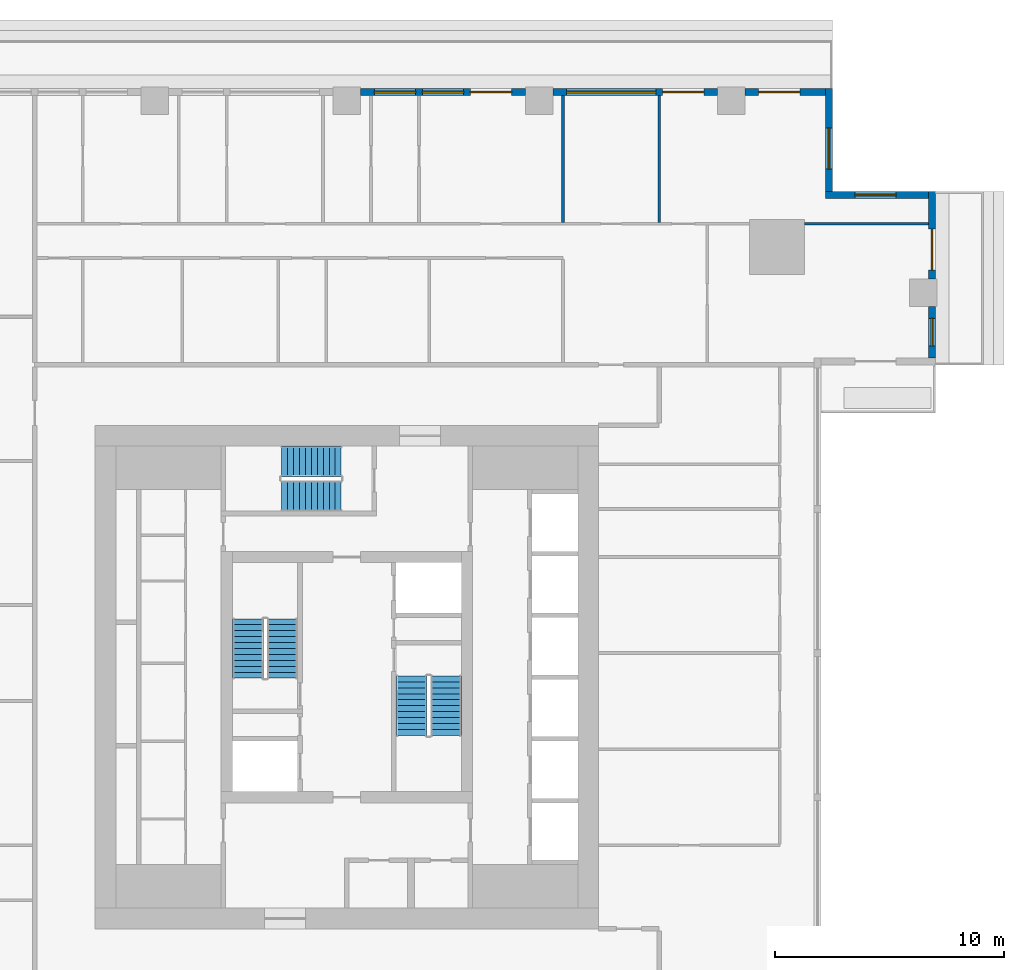
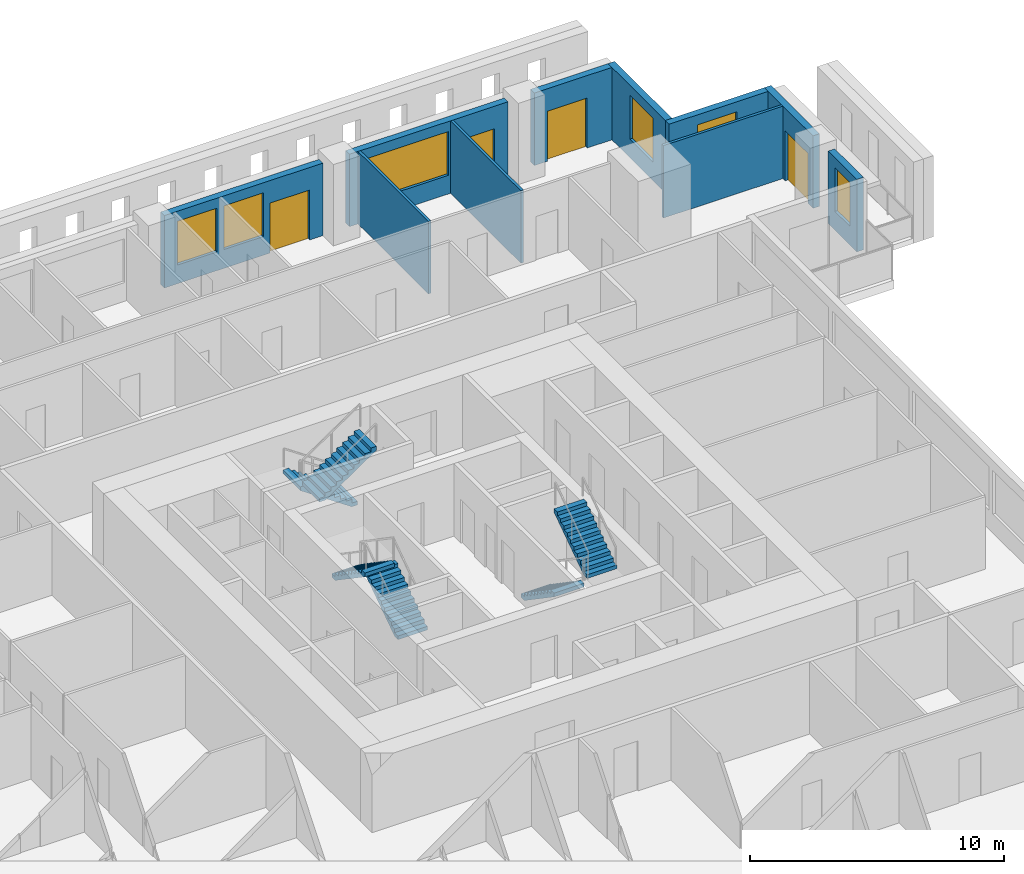
# One storey, part 9 of 15: 10 walls, 6 stair flights, 6 windows, 4 doors, 10 openings, 3 elements without a shape of their own.
"""IFC4 building model written with IfcOpenShell, lengths in metres."""

from ifc_helpers import new_model, si_unit, direction, frame, frame_2d, origin, place, context, subcontext, project, spatial, polyline, rectangle, outline, extrude, material, layer, layer_set, type_object, element, fill, aggregate, save


model = new_model("IFC4")

# Units and contexts
model_context = context("Model", 3, precision=1e-05, world=origin(), true_north=direction((0.0, 1.0)))
body_context = subcontext(model_context, "Body", "Model", "MODEL_VIEW")
ifc_project = project(units=[si_unit("LENGTHUNIT", "METRE"), si_unit("AREAUNIT", "SQUARE_METRE"), si_unit("VOLUMEUNIT", "CUBIC_METRE"), si_unit("PLANEANGLEUNIT", "RADIAN"), si_unit("MASSUNIT", "GRAM", prefix="KILO")], contexts=[model_context])

# Site, building, storey
site_placement = place(None, origin())
site = spatial("IfcSite", under=ifc_project, at=site_placement, CompositionType="ELEMENT")
building_placement = place(site_placement, origin())
building = spatial("IfcBuilding", under=site, at=building_placement, Name="Khepri Terraces", CompositionType="ELEMENT")
storey_placement = place(building_placement, frame((0.0, 0.0, 227.39990234375)))
storey = spatial("IfcBuildingStorey", under=building, at=storey_placement, Name="L54", CompositionType="ELEMENT", Elevation=227.39990234375)

# Wall, opening, window
ifc_material_1 = material(Name="Precast concrete C50/60 warm stone", Category="masonry")
ifc_layer_1 = layer(ifc_material_1, 0.300048828125, Name="Precast concrete C50/60 warm stone", Category="masonry")
ifc_layer_set_1 = layer_set([ifc_layer_1], Name="Precast concrete C50/60 warm stone")
wall_type_1 = type_object("IfcWallType", Name="WL-EXT-PRECAST-300", PredefinedType="STANDARD", material=ifc_layer_set_1)
wall_1_placement = place(storey_placement, frame((25.570068359375, 13.949951171875, 0.0), z_axis=(0.0, 0.0, 1.0), x_axis=(0.0, 1.0, 0.0)))
wall_1 = element("IfcWall", 1, at=wall_1_placement, inside=storey, type_object=wall_type_1, Name="External wall L54 E", PredefinedType="STANDARD", context=body_context, shape_type="SweptSolid", body=[
    extrude(rectangle(XDim=2.25, YDim=0.300048828125, at=frame_2d((1.125, 0.0))), origin(), (0.0, 0.0, 1.0), 3.47998046875),
])
opening_1_placement = place(wall_1_placement, frame((0.52490234375, 0.0, 0.89990234375)))
opening_1 = element("IfcOpeningElement", 2, at=opening_1_placement, cuts=wall_1, Name="Opening W4", PredefinedType="OPENING", context=body_context, shape_type="SweptSolid", body=[
    extrude(rectangle(XDim=1.199951171875, YDim=2.10009765625, at=frame_2d((0.60009765625, 1.050048828125))), frame((0.0, 0.16015625, 0.0), z_axis=(0.0, -1.0, 0.0), x_axis=(1.0, 0.0, 0.0)), (0.0, 0.0, 1.0), 0.320068359375),
])
ifc_material_2 = material(Name="Clear glass", Category="glass")
window_type_1 = type_object("IfcWindowType", Name="WIN-RES-1200x2100", PartitioningType="SINGLE_PANEL", PredefinedType="WINDOW", material=ifc_material_2)
window_1_placement = place(opening_1_placement, origin())
window_1 = element("IfcWindow", 3, at=window_1_placement, inside=storey, type_object=window_type_1, Name="Window L54 E", OverallHeight=2.10009765625, OverallWidth=1.199951171875, PartitioningType="SINGLE_PANEL", PredefinedType="WINDOW", context=body_context, shape_type="SweptSolid", body=[
    extrude(rectangle(XDim=1.199951171875, YDim=2.10009765625, at=frame_2d((0.60009765625, 1.050048828125))), frame((0.0, 0.030029296875, 0.0), z_axis=(0.0, -1.0, 0.0), x_axis=(1.0, 0.0, 0.0)), (0.0, 0.0, 1.0), 0.06005859375),
])
fill(opening_1, window_1)

# Wall, opening, door
wall_2_placement = place(storey_placement, frame((25.570068359375, 17.39990234375, 0.0), z_axis=(0.0, 0.0, 1.0), x_axis=(0.0, 1.0, 0.0)))
wall_2 = element("IfcWall", 4, at=wall_2_placement, inside=storey, type_object=wall_type_1, Name="External wall L54 E", PredefinedType="STANDARD", context=body_context, shape_type="SweptSolid", body=[
    extrude(rectangle(XDim=3.820068359375, YDim=0.300048828125, at=frame_2d((1.91015625, 0.0))), origin(), (0.0, 0.0, 1.0), 3.47998046875),
])
opening_2_placement = place(wall_2_placement, frame((0.385009765625, 0.0, 0.0)))
opening_2 = element("IfcOpeningElement", 5, at=opening_2_placement, cuts=wall_2, Name="Opening ED-L54-05", PredefinedType="OPENING", context=body_context, shape_type="SweptSolid", body=[
    extrude(rectangle(XDim=1.800048828125, YDim=2.39990234375, at=frame_2d((0.89990234375, 1.199951171875))), frame((0.0, 0.16015625, 0.0), z_axis=(0.0, -1.0, 0.0), x_axis=(1.0, 0.0, 0.0)), (0.0, 0.0, 1.0), 0.320068359375),
])
ifc_material_3 = material(Name="Anodised aluminium bronze glazed door", Category="aluminium")
door_type = type_object("IfcDoorType", Name="DR-BAL-SLIDE-1800x2400", OperationType="NOTDEFINED", PredefinedType="DOOR", material=ifc_material_3)
door_1_placement = place(opening_2_placement, origin())
door_1 = element("IfcDoor", 6, at=door_1_placement, inside=storey, type_object=door_type, Name="Balcony door L54 E", OperationType="SLIDING_TO_LEFT", OverallHeight=2.39990234375, OverallWidth=1.800048828125, PredefinedType="DOOR", context=body_context, shape_type="SweptSolid", body=[
    extrude(rectangle(XDim=1.800048828125, YDim=2.39990234375, at=frame_2d((0.89990234375, 1.199951171875))), frame((0.0, 0.02490234375, 0.0), z_axis=(0.0, -1.0, 0.0), x_axis=(1.0, 0.0, 0.0)), (0.0, 0.0, 1.0), 0.050048828125),
])
fill(opening_2, door_1)

# Wall, opening, window
wall_3_placement = place(storey_placement, frame((25.419921875, 21.070068359375, 0.0), z_axis=(0.0, 0.0, 1.0), x_axis=(-1.0, 0.0, 0.0)))
wall_3 = element("IfcWall", 7, at=wall_3_placement, inside=storey, type_object=wall_type_1, Name="External wall L54 N", PredefinedType="STANDARD", context=body_context, shape_type="SweptSolid", body=[
    extrude(rectangle(XDim=4.5, YDim=0.300048828125, at=frame_2d((2.25, 0.0))), origin(), (0.0, 0.0, 1.0), 3.47998046875),
])
opening_3_placement = place(wall_3_placement, frame((1.419921875, 0.0, 0.89990234375)))
opening_3 = element("IfcOpeningElement", 8, at=opening_3_placement, cuts=wall_3, Name="Opening W1", PredefinedType="OPENING", context=body_context, shape_type="SweptSolid", body=[
    extrude(rectangle(XDim=1.800048828125, YDim=2.10009765625, at=frame_2d((0.89990234375, 1.050048828125))), frame((0.0, 0.16015625, 0.0), z_axis=(0.0, -1.0, 0.0), x_axis=(1.0, 0.0, 0.0)), (0.0, 0.0, 1.0), 0.320068359375),
])
window_type_2 = type_object("IfcWindowType", Name="WIN-RES-1800x2100", PartitioningType="SINGLE_PANEL", PredefinedType="WINDOW", material=ifc_material_2)
window_2_placement = place(opening_3_placement, origin())
window_2 = element("IfcWindow", 9, at=window_2_placement, inside=storey, type_object=window_type_2, Name="Window L54 N", OverallHeight=2.10009765625, OverallWidth=1.800048828125, PartitioningType="SINGLE_PANEL", PredefinedType="WINDOW", context=body_context, shape_type="SweptSolid", body=[
    extrude(rectangle(XDim=1.800048828125, YDim=2.10009765625, at=frame_2d((0.89990234375, 1.050048828125))), frame((0.0, 0.030029296875, 0.0), z_axis=(0.0, -1.0, 0.0), x_axis=(1.0, 0.0, 0.0)), (0.0, 0.0, 1.0), 0.06005859375),
])
fill(opening_3, window_2)

wall_4_placement = place(storey_placement, frame((21.070068359375, 21.219970703125, 0.0), z_axis=(0.0, 0.0, 1.0), x_axis=(0.0, 1.0, 0.0)))
wall_4 = element("IfcWall", 10, at=wall_4_placement, inside=storey, type_object=wall_type_1, Name="External wall L54 E", PredefinedType="STANDARD", context=body_context, shape_type="SweptSolid", body=[
    extrude(rectangle(XDim=4.5, YDim=0.300048828125, at=frame_2d((2.25, 0.0))), origin(), (0.0, 0.0, 1.0), 3.47998046875),
])
opening_4_placement = place(wall_4_placement, frame((0.97998046875, 0.0, 0.89990234375)))
opening_4 = element("IfcOpeningElement", 11, at=opening_4_placement, cuts=wall_4, Name="Opening W1", PredefinedType="OPENING", context=body_context, shape_type="SweptSolid", body=[
    extrude(rectangle(XDim=1.800048828125, YDim=2.10009765625, at=frame_2d((0.89990234375, 1.050048828125))), frame((0.0, 0.16015625, 0.0), z_axis=(0.0, -1.0, 0.0), x_axis=(1.0, 0.0, 0.0)), (0.0, 0.0, 1.0), 0.320068359375),
])
window_3_placement = place(opening_4_placement, origin())
window_3 = element("IfcWindow", 12, at=window_3_placement, inside=storey, type_object=window_type_2, Name="Window L54 E", OverallHeight=2.10009765625, OverallWidth=1.800048828125, PartitioningType="SINGLE_PANEL", PredefinedType="WINDOW", context=body_context, shape_type="SweptSolid", body=[
    extrude(rectangle(XDim=1.800048828125, YDim=2.10009765625, at=frame_2d((0.89990234375, 1.050048828125))), frame((0.0, 0.030029296875, 0.0), z_axis=(0.0, -1.0, 0.0), x_axis=(1.0, 0.0, 0.0)), (0.0, 0.0, 1.0), 0.06005859375),
])
fill(opening_4, window_3)

# Wall, opening, door
wall_5_placement = place(storey_placement, frame((20.919921875, 25.570068359375, 0.0), z_axis=(0.0, 0.0, 1.0), x_axis=(-1.0, 0.0, 0.0)))
wall_5 = element("IfcWall", 13, at=wall_5_placement, inside=storey, type_object=wall_type_1, Name="External wall L54 N", PredefinedType="STANDARD", context=body_context, shape_type="SweptSolid", body=[
    extrude(rectangle(XDim=3.52001953125, YDim=0.300048828125, at=frame_2d((1.760009765625, 0.0))), origin(), (0.0, 0.0, 1.0), 3.47998046875),
])
opening_5_placement = place(wall_5_placement, frame((1.1201171875, 0.0, 0.0)))
opening_5 = element("IfcOpeningElement", 14, at=opening_5_placement, cuts=wall_5, Name="Opening ED-L54-06", PredefinedType="OPENING", context=body_context, shape_type="SweptSolid", body=[
    extrude(rectangle(XDim=1.800048828125, YDim=2.39990234375, at=frame_2d((0.89990234375, 1.199951171875))), frame((0.0, 0.16015625, 0.0), z_axis=(0.0, -1.0, 0.0), x_axis=(1.0, 0.0, 0.0)), (0.0, 0.0, 1.0), 0.320068359375),
])
door_2_placement = place(opening_5_placement, origin())
door_2 = element("IfcDoor", 15, at=door_2_placement, inside=storey, type_object=door_type, Name="Balcony door L54 N", OperationType="SLIDING_TO_RIGHT", OverallHeight=2.39990234375, OverallWidth=1.800048828125, PredefinedType="DOOR", context=body_context, shape_type="SweptSolid", body=[
    extrude(rectangle(XDim=1.800048828125, YDim=2.39990234375, at=frame_2d((0.89990234375, 1.199951171875))), frame((0.0, 0.02490234375, 0.0), z_axis=(0.0, -1.0, 0.0), x_axis=(1.0, 0.0, 0.0)), (0.0, 0.0, 1.0), 0.050048828125),
])
fill(opening_5, door_2)

# Wall, openings, door, window
wall_6_placement = place(storey_placement, frame((16.199951171875, 25.570068359375, 0.0), z_axis=(0.0, 0.0, 1.0), x_axis=(-1.0, 0.0, 0.0)))
wall_6 = element("IfcWall", 16, at=wall_6_placement, inside=storey, type_object=wall_type_1, Name="External wall L54 N", PredefinedType="STANDARD", context=body_context, shape_type="SweptSolid", body=[
    extrude(rectangle(XDim=7.199951171875, YDim=0.300048828125, at=frame_2d((3.60009765625, 0.0))), origin(), (0.0, 0.0, 1.0), 3.47998046875),
])
opening_6_placement = place(wall_6_placement, frame((0.60009765625, 0.0, 0.0)))
opening_6 = element("IfcOpeningElement", 17, at=opening_6_placement, cuts=wall_6, Name="Opening ED-L54-07", PredefinedType="OPENING", context=body_context, shape_type="SweptSolid", body=[
    extrude(rectangle(XDim=1.800048828125, YDim=2.39990234375, at=frame_2d((0.89990234375, 1.199951171875))), frame((0.0, 0.16015625, 0.0), z_axis=(0.0, -1.0, 0.0), x_axis=(1.0, 0.0, 0.0)), (0.0, 0.0, 1.0), 0.320068359375),
])
opening_7_placement = place(wall_6_placement, frame((2.699951171875, 0.0, 0.89990234375)))
opening_7 = element("IfcOpeningElement", 18, at=opening_7_placement, cuts=wall_6, Name="Opening W2", PredefinedType="OPENING", context=body_context, shape_type="SweptSolid", body=[
    extrude(rectangle(XDim=3.89990234375, YDim=2.10009765625, at=frame_2d((1.949951171875, 1.050048828125))), frame((0.0, 0.16015625, 0.0), z_axis=(0.0, -1.0, 0.0), x_axis=(1.0, 0.0, 0.0)), (0.0, 0.0, 1.0), 0.320068359375),
])
door_3_placement = place(opening_6_placement, origin())
door_3 = element("IfcDoor", 19, at=door_3_placement, inside=storey, type_object=door_type, Name="Balcony door L54 N", OperationType="SLIDING_TO_LEFT", OverallHeight=2.39990234375, OverallWidth=1.800048828125, PredefinedType="DOOR", context=body_context, shape_type="SweptSolid", body=[
    extrude(rectangle(XDim=1.800048828125, YDim=2.39990234375, at=frame_2d((0.89990234375, 1.199951171875))), frame((0.0, 0.02490234375, 0.0), z_axis=(0.0, -1.0, 0.0), x_axis=(1.0, 0.0, 0.0)), (0.0, 0.0, 1.0), 0.050048828125),
])
fill(opening_6, door_3)
window_type_3 = type_object("IfcWindowType", Name="WIN-RES-3900x2100", PartitioningType="SINGLE_PANEL", PredefinedType="WINDOW", material=ifc_material_2)
window_4_placement = place(opening_7_placement, origin())
window_4 = element("IfcWindow", 20, at=window_4_placement, inside=storey, type_object=window_type_3, Name="Window L54 N", OverallHeight=2.10009765625, OverallWidth=3.89990234375, PartitioningType="SINGLE_PANEL", PredefinedType="WINDOW", context=body_context, shape_type="SweptSolid", body=[
    extrude(rectangle(XDim=3.89990234375, YDim=2.10009765625, at=frame_2d((1.949951171875, 1.050048828125))), frame((0.0, 0.030029296875, 0.0), z_axis=(0.0, -1.0, 0.0), x_axis=(1.0, 0.0, 0.0)), (0.0, 0.0, 1.0), 0.06005859375),
])
fill(opening_7, window_4)

# Wall, openings, door, windows
wall_7_placement = place(storey_placement, frame((7.800048828125, 25.570068359375, 0.0), z_axis=(0.0, 0.0, 1.0), x_axis=(-1.0, 0.0, 0.0)))
wall_7 = element("IfcWall", 21, at=wall_7_placement, inside=storey, type_object=wall_type_1, Name="External wall L54 N", PredefinedType="STANDARD", context=body_context, shape_type="SweptSolid", body=[
    extrude(rectangle(XDim=7.199951171875, YDim=0.300048828125, at=frame_2d((3.60009765625, 0.0))), origin(), (0.0, 0.0, 1.0), 3.47998046875),
])
opening_8_placement = place(wall_7_placement, frame((0.60009765625, 0.0, 0.0)))
opening_8 = element("IfcOpeningElement", 22, at=opening_8_placement, cuts=wall_7, Name="Opening ED-L54-08", PredefinedType="OPENING", context=body_context, shape_type="SweptSolid", body=[
    extrude(rectangle(XDim=1.800048828125, YDim=2.39990234375, at=frame_2d((0.89990234375, 1.199951171875))), frame((0.0, 0.16015625, 0.0), z_axis=(0.0, -1.0, 0.0), x_axis=(1.0, 0.0, 0.0)), (0.0, 0.0, 1.0), 0.320068359375),
])
opening_9_placement = place(wall_7_placement, frame((2.699951171875, 0.0, 0.89990234375)))
opening_9 = element("IfcOpeningElement", 23, at=opening_9_placement, cuts=wall_7, Name="Opening W1", PredefinedType="OPENING", context=body_context, shape_type="SweptSolid", body=[
    extrude(rectangle(XDim=1.800048828125, YDim=2.10009765625, at=frame_2d((0.89990234375, 1.050048828125))), frame((0.0, 0.16015625, 0.0), z_axis=(0.0, -1.0, 0.0), x_axis=(1.0, 0.0, 0.0)), (0.0, 0.0, 1.0), 0.320068359375),
])
opening_10_placement = place(wall_7_placement, frame((4.800048828125, 0.0, 0.89990234375)))
opening_10 = element("IfcOpeningElement", 24, at=opening_10_placement, cuts=wall_7, Name="Opening W1", PredefinedType="OPENING", context=body_context, shape_type="SweptSolid", body=[
    extrude(rectangle(XDim=1.800048828125, YDim=2.10009765625, at=frame_2d((0.89990234375, 1.050048828125))), frame((0.0, 0.16015625, 0.0), z_axis=(0.0, -1.0, 0.0), x_axis=(1.0, 0.0, 0.0)), (0.0, 0.0, 1.0), 0.320068359375),
])
door_4_placement = place(opening_8_placement, origin())
door_4 = element("IfcDoor", 25, at=door_4_placement, inside=storey, type_object=door_type, Name="Balcony door L54 N", OperationType="SLIDING_TO_LEFT", OverallHeight=2.39990234375, OverallWidth=1.800048828125, PredefinedType="DOOR", context=body_context, shape_type="SweptSolid", body=[
    extrude(rectangle(XDim=1.800048828125, YDim=2.39990234375, at=frame_2d((0.89990234375, 1.199951171875))), frame((0.0, 0.02490234375, 0.0), z_axis=(0.0, -1.0, 0.0), x_axis=(1.0, 0.0, 0.0)), (0.0, 0.0, 1.0), 0.050048828125),
])
fill(opening_8, door_4)
window_5_placement = place(opening_9_placement, origin())
window_5 = element("IfcWindow", 26, at=window_5_placement, inside=storey, type_object=window_type_2, Name="Window L54 N", OverallHeight=2.10009765625, OverallWidth=1.800048828125, PartitioningType="SINGLE_PANEL", PredefinedType="WINDOW", context=body_context, shape_type="SweptSolid", body=[
    extrude(rectangle(XDim=1.800048828125, YDim=2.10009765625, at=frame_2d((0.89990234375, 1.050048828125))), frame((0.0, 0.030029296875, 0.0), z_axis=(0.0, -1.0, 0.0), x_axis=(1.0, 0.0, 0.0)), (0.0, 0.0, 1.0), 0.06005859375),
])
fill(opening_9, window_5)
window_6_placement = place(opening_10_placement, origin())
window_6 = element("IfcWindow", 27, at=window_6_placement, inside=storey, type_object=window_type_2, Name="Window L54 N", OverallHeight=2.10009765625, OverallWidth=1.800048828125, PartitioningType="SINGLE_PANEL", PredefinedType="WINDOW", context=body_context, shape_type="SweptSolid", body=[
    extrude(rectangle(XDim=1.800048828125, YDim=2.10009765625, at=frame_2d((0.89990234375, 1.050048828125))), frame((0.0, 0.030029296875, 0.0), z_axis=(0.0, -1.0, 0.0), x_axis=(1.0, 0.0, 0.0)), (0.0, 0.0, 1.0), 0.06005859375),
])
fill(opening_10, window_6)

# Walls
ifc_material_4 = material(Name="Gypsum plasterboard partition")
ifc_layer_2 = layer(ifc_material_4, 0.1201171875, Name="Gypsum plasterboard partition")
ifc_layer_set_2 = layer_set([ifc_layer_2], Name="Gypsum plasterboard partition")
wall_type_2 = type_object("IfcWallType", Name="WL-PART-120", PredefinedType="PARTITIONING", material=ifc_layer_set_2)
wall_8_placement = place(storey_placement, frame((20.0, 19.820068359375, 0.0), z_axis=(0.0, 0.0, 1.0), x_axis=(1.0, 0.0, 0.0)))
element("IfcWall", 28, at=wall_8_placement, inside=storey, type_object=wall_type_2, Name="Partition P-082 L54", PredefinedType="PARTITIONING", context=body_context, shape_type="SweptSolid", body=[
    extrude(rectangle(XDim=5.419921875, YDim=0.1201171875, at=frame_2d((2.7099609375, 0.0))), origin(), (0.0, 0.0, 1.0), 3.47998046875),
])
for number, where, z_axis, x_axis, name in (
    (29, (9.449951171875, 19.8798828125, 0.0), (0.0, 0.0, 1.0), (0.0, 1.0, 0.0), "Partition P-089 L54"),
    (30, (13.64990234375, 19.8798828125, 0.0), (0.0, 0.0, 1.0), (0.0, 1.0, 0.0), "Partition P-090 L54"),
):
    element("IfcWall", number, at=place(storey_placement, frame(where, z_axis=z_axis, x_axis=x_axis)), inside=storey, type_object=wall_type_2, Name=name, PredefinedType="PARTITIONING", context=body_context, shape_type="SweptSolid", body=[
        extrude(rectangle(XDim=5.5400390625, YDim=0.1201171875, at=frame_2d((2.77001953125, 0.0))), origin(), (0.0, 0.0, 1.0), 3.47998046875),
    ])

# Stair, stair flights
ifc_material_5 = material(Name="Concrete C40/50", Category="concrete")
stair_type = type_object("IfcStairType", Name="STAIR-RC-22R", PredefinedType="HALF_TURN_STAIR", material=ifc_material_5)
stair_1_placement = place(storey_placement, origin())
stair_1 = element("IfcStair", 31, at=stair_1_placement, inside=storey, type_object=stair_type, Name="L54 Exit Stair ST-1", PredefinedType="HALF_TURN_STAIR")
stair_flight_type = type_object("IfcStairFlightType", Name="SFL-RC-177.3", PredefinedType="STRAIGHT", material=ifc_material_5)
stair_flight_1_placement = place(storey_placement, frame((-2.824951171875, -0.050048828125, 0.0), z_axis=(0.0, 0.0, 1.0), x_axis=(0.0, 1.0, 0.0)))
stair_flight_1 = element("IfcStairFlight", 32, at=stair_flight_1_placement, type_object=stair_flight_type, Name="ST-1 flight 1", NumberOfRisers=11, NumberOfTreads=10, PredefinedType="STRAIGHT", RiserHeight=0.177272727, TreadLength=0.26, context=body_context, shape_type="SweptSolid", body=[
    extrude(outline(polyline([(0.0, 0.0), (0.0, 0.17724609375), (0.260009765625, 0.17724609375), (0.260009765625, 0.3544921875), (0.52001953125, 0.3544921875), (0.52001953125, 0.53173828125), (0.780029296875, 0.53173828125), (0.780029296875, 0.708984375), (1.0400390625, 0.708984375), (1.0400390625, 0.886474609375), (1.300048828125, 0.886474609375), (1.300048828125, 1.063720703125), (1.56005859375, 1.063720703125), (1.56005859375, 1.240966796875), (1.820068359375, 1.240966796875), (1.820068359375, 1.418212890625), (2.080078125, 1.418212890625), (2.080078125, 1.595458984375), (2.340087890625, 1.595458984375), (2.340087890625, 1.772705078125), (2.60009765625, 1.772705078125), (2.60009765625, 1.949951171875), (2.60009765625, 1.59130859375), (0.26611328125, 0.0), (0.0, 0.0)])), frame((0.0, 0.675048828125, 0.0), z_axis=(0.0, -1.0, 0.0), x_axis=(1.0, 0.0, 0.0)), (0.0, 0.0, 1.0), 1.35009765625),
])
stair_flight_2_placement = place(storey_placement, frame((-4.324951171875, 2.550048828125, 1.9501953125), z_axis=(0.0, 0.0, 1.0), x_axis=(0.0, -1.0, 0.0)))
stair_flight_2 = element("IfcStairFlight", 33, at=stair_flight_2_placement, type_object=stair_flight_type, Name="ST-1 flight 2", NumberOfRisers=11, NumberOfTreads=10, PredefinedType="STRAIGHT", RiserHeight=0.177272727, TreadLength=0.26, context=body_context, shape_type="SweptSolid", body=[
    extrude(outline(polyline([(0.0, 0.0), (0.0, 0.17724609375), (0.260009765625, 0.17724609375), (0.260009765625, 0.3544921875), (0.52001953125, 0.3544921875), (0.52001953125, 0.53173828125), (0.780029296875, 0.53173828125), (0.780029296875, 0.708984375), (1.0400390625, 0.708984375), (1.0400390625, 0.886474609375), (1.300048828125, 0.886474609375), (1.300048828125, 1.063720703125), (1.56005859375, 1.063720703125), (1.56005859375, 1.240966796875), (1.820068359375, 1.240966796875), (1.820068359375, 1.418212890625), (2.080078125, 1.418212890625), (2.080078125, 1.595458984375), (2.340087890625, 1.595458984375), (2.340087890625, 1.772705078125), (2.60009765625, 1.772705078125), (2.60009765625, 1.949951171875), (2.60009765625, 1.59130859375), (0.26611328125, 0.0), (0.0, 0.0)])), frame((0.0, 0.675048828125, 0.0), z_axis=(0.0, -1.0, 0.0), x_axis=(1.0, 0.0, 0.0)), (0.0, 0.0, 1.0), 1.35009765625),
])
aggregate(stair_1, [stair_flight_1, stair_flight_2])

stair_2_placement = place(storey_placement, origin())
stair_2 = element("IfcStair", 34, at=stair_2_placement, inside=storey, type_object=stair_type, Name="L54 Exit Stair ST-2", PredefinedType="HALF_TURN_STAIR")
stair_flight_3_placement = place(storey_placement, frame((2.824951171875, 0.050048828125, 0.0), z_axis=(0.0, 0.0, 1.0), x_axis=(0.0, -1.0, 0.0)))
stair_flight_3 = element("IfcStairFlight", 35, at=stair_flight_3_placement, type_object=stair_flight_type, Name="ST-2 flight 1", NumberOfRisers=11, NumberOfTreads=10, PredefinedType="STRAIGHT", RiserHeight=0.177272727, TreadLength=0.26, context=body_context, shape_type="SweptSolid", body=[
    extrude(outline(polyline([(0.0, 0.0), (0.0, 0.17724609375), (0.260009765625, 0.17724609375), (0.260009765625, 0.3544921875), (0.52001953125, 0.3544921875), (0.52001953125, 0.53173828125), (0.780029296875, 0.53173828125), (0.780029296875, 0.708984375), (1.0400390625, 0.708984375), (1.0400390625, 0.886474609375), (1.300048828125, 0.886474609375), (1.300048828125, 1.063720703125), (1.56005859375, 1.063720703125), (1.56005859375, 1.240966796875), (1.820068359375, 1.240966796875), (1.820068359375, 1.418212890625), (2.080078125, 1.418212890625), (2.080078125, 1.595458984375), (2.340087890625, 1.595458984375), (2.340087890625, 1.772705078125), (2.60009765625, 1.772705078125), (2.60009765625, 1.949951171875), (2.60009765625, 1.59130859375), (0.26611328125, 0.0), (0.0, 0.0)])), frame((0.0, 0.675048828125, 0.0), z_axis=(0.0, -1.0, 0.0), x_axis=(1.0, 0.0, 0.0)), (0.0, 0.0, 1.0), 1.35009765625),
])
stair_flight_4_placement = place(storey_placement, frame((4.324951171875, -2.550048828125, 1.9501953125), z_axis=(0.0, 0.0, 1.0), x_axis=(0.0, 1.0, 0.0)))
stair_flight_4 = element("IfcStairFlight", 36, at=stair_flight_4_placement, type_object=stair_flight_type, Name="ST-2 flight 2", NumberOfRisers=11, NumberOfTreads=10, PredefinedType="STRAIGHT", RiserHeight=0.177272727, TreadLength=0.26, context=body_context, shape_type="SweptSolid", body=[
    extrude(outline(polyline([(0.0, 0.0), (0.0, 0.17724609375), (0.260009765625, 0.17724609375), (0.260009765625, 0.3544921875), (0.52001953125, 0.3544921875), (0.52001953125, 0.53173828125), (0.780029296875, 0.53173828125), (0.780029296875, 0.708984375), (1.0400390625, 0.708984375), (1.0400390625, 0.886474609375), (1.300048828125, 0.886474609375), (1.300048828125, 1.063720703125), (1.56005859375, 1.063720703125), (1.56005859375, 1.240966796875), (1.820068359375, 1.240966796875), (1.820068359375, 1.418212890625), (2.080078125, 1.418212890625), (2.080078125, 1.595458984375), (2.340087890625, 1.595458984375), (2.340087890625, 1.772705078125), (2.60009765625, 1.772705078125), (2.60009765625, 1.949951171875), (2.60009765625, 1.59130859375), (0.26611328125, 0.0), (0.0, 0.0)])), frame((0.0, 0.675048828125, 0.0), z_axis=(0.0, -1.0, 0.0), x_axis=(1.0, 0.0, 0.0)), (0.0, 0.0, 1.0), 1.35009765625),
])
aggregate(stair_2, [stair_flight_3, stair_flight_4])

stair_3_placement = place(storey_placement, origin())
stair_3 = element("IfcStair", 37, at=stair_3_placement, inside=storey, type_object=stair_type, Name="L54 Exit Stair ST-3", PredefinedType="HALF_TURN_STAIR")
stair_flight_5_placement = place(storey_placement, frame((-0.25, 9.425048828125, 0.0), z_axis=(0.0, 0.0, 1.0), x_axis=(-1.0, 0.0, 0.0)))
stair_flight_5 = element("IfcStairFlight", 38, at=stair_flight_5_placement, type_object=stair_flight_type, Name="ST-3 flight 1", NumberOfRisers=11, NumberOfTreads=10, PredefinedType="STRAIGHT", RiserHeight=0.177272727, TreadLength=0.26, context=body_context, shape_type="SweptSolid", body=[
    extrude(outline(polyline([(0.0, 0.0), (0.0, 0.17724609375), (0.260009765625, 0.17724609375), (0.260009765625, 0.3544921875), (0.52001953125, 0.3544921875), (0.52001953125, 0.53173828125), (0.780029296875, 0.53173828125), (0.780029296875, 0.708984375), (1.0400390625, 0.708984375), (1.0400390625, 0.886474609375), (1.300048828125, 0.886474609375), (1.300048828125, 1.063720703125), (1.56005859375, 1.063720703125), (1.56005859375, 1.240966796875), (1.820068359375, 1.240966796875), (1.820068359375, 1.418212890625), (2.080078125, 1.418212890625), (2.080078125, 1.595458984375), (2.340087890625, 1.595458984375), (2.340087890625, 1.772705078125), (2.60009765625, 1.772705078125), (2.60009765625, 1.949951171875), (2.60009765625, 1.59130859375), (0.26611328125, 0.0), (0.0, 0.0)])), frame((0.0, 0.675048828125, 0.0), z_axis=(0.0, -1.0, 0.0), x_axis=(1.0, 0.0, 0.0)), (0.0, 0.0, 1.0), 1.35009765625),
])
stair_flight_6_placement = place(storey_placement, frame((-2.85009765625, 7.925048828125, 1.9501953125), z_axis=(0.0, 0.0, 1.0), x_axis=(1.0, 0.0, 0.0)))
stair_flight_6 = element("IfcStairFlight", 39, at=stair_flight_6_placement, type_object=stair_flight_type, Name="ST-3 flight 2", NumberOfRisers=11, NumberOfTreads=10, PredefinedType="STRAIGHT", RiserHeight=0.177272727, TreadLength=0.26, context=body_context, shape_type="SweptSolid", body=[
    extrude(outline(polyline([(0.0, 0.0), (0.0, 0.17724609375), (0.260009765625, 0.17724609375), (0.260009765625, 0.3544921875), (0.52001953125, 0.3544921875), (0.52001953125, 0.53173828125), (0.780029296875, 0.53173828125), (0.780029296875, 0.708984375), (1.0400390625, 0.708984375), (1.0400390625, 0.886474609375), (1.300048828125, 0.886474609375), (1.300048828125, 1.063720703125), (1.56005859375, 1.063720703125), (1.56005859375, 1.240966796875), (1.820068359375, 1.240966796875), (1.820068359375, 1.418212890625), (2.080078125, 1.418212890625), (2.080078125, 1.595458984375), (2.340087890625, 1.595458984375), (2.340087890625, 1.772705078125), (2.60009765625, 1.772705078125), (2.60009765625, 1.949951171875), (2.60009765625, 1.59130859375), (0.26611328125, 0.0), (0.0, 0.0)])), frame((0.0, 0.675048828125, 0.0), z_axis=(0.0, -1.0, 0.0), x_axis=(1.0, 0.0, 0.0)), (0.0, 0.0, 1.0), 1.35009765625),
])
aggregate(stair_3, [stair_flight_5, stair_flight_6])

save(model, "model.ifc")
